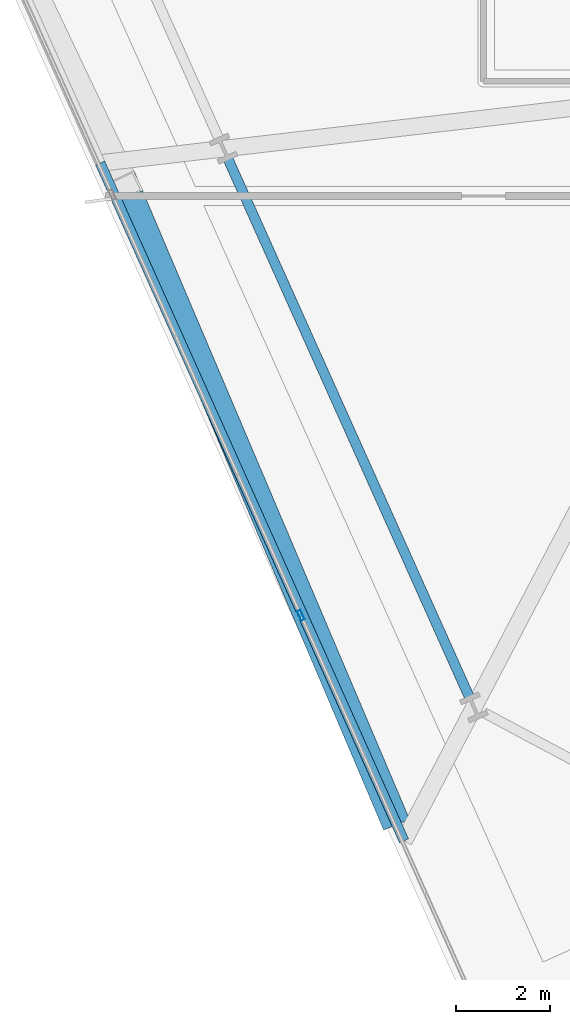
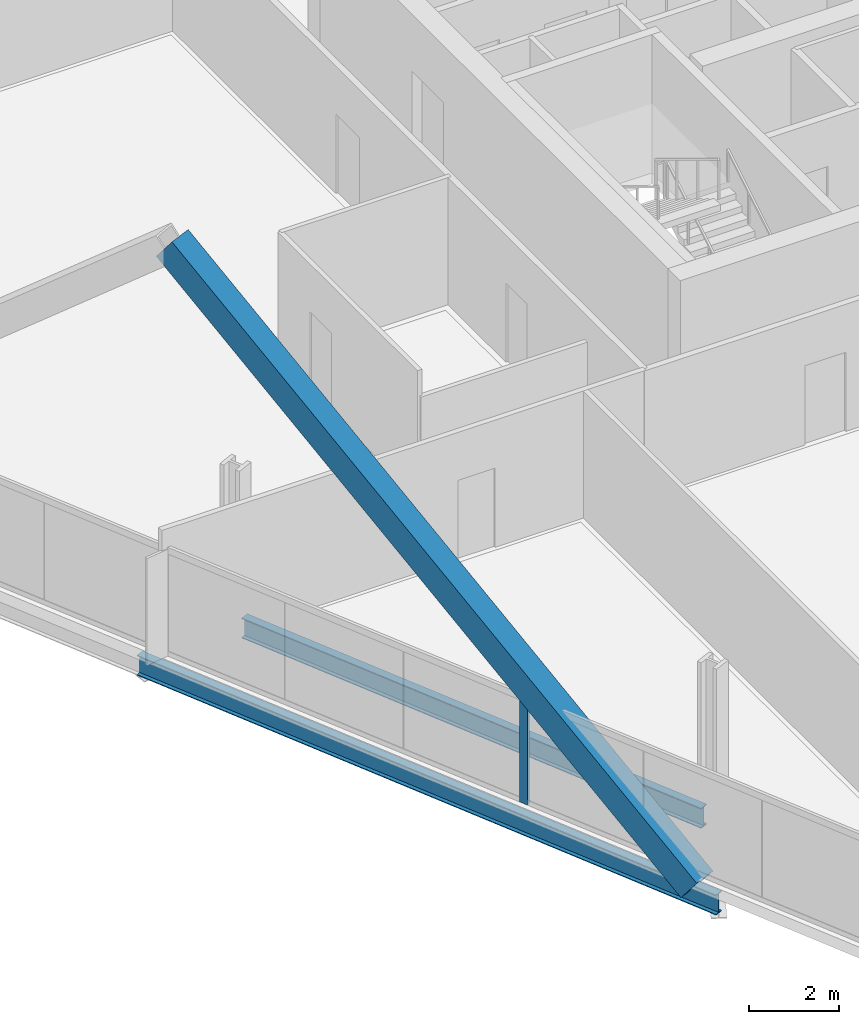
# One storey, part 2 of 38: 2 beams, 2 members, 1 element without a shape of its own.
"""IFC4 building model written with IfcOpenShell, lengths in metres."""

import ifcopenshell
import ifcopenshell.guid

model = None  # the IFC model being written
_history = None  # IfcOwnerHistory: only IFC2X3 demands one
_inside = {}  # id of a spatial element -> (the spatial element, [elements in it])
_under = {}  # id of a project, library or spatial element -> (it, [spatial elements below it])
_declared = {}  # id of a project -> (the project, [libraries it declares])
_typed = {}  # id of a type object -> (the type object, [elements of that type])
_made_of = {}  # id of a material, layer set ... -> (it, [elements and type objects made of it])


def new_model(schema):
    """Start an empty IFC model of exactly this schema.

    Asked for "IFC4X3", IfcOpenShell would pick the latest addendum, in which some entities
    have other attributes; the version numbers below select the first issue.
    IFC2X3 requires an IfcOwnerHistory on every rooted entity: one is made here for all.
    """
    global model, _history
    if schema == "IFC4X3":
        model = ifcopenshell.file(schema_version=(4, 3, 0, 0))
    else:
        model = ifcopenshell.file(schema=schema)
    _inside.clear()
    _under.clear()
    _declared.clear()
    _typed.clear()
    _made_of.clear()
    _history = None
    if model.schema == "IFC2X3":
        org = make("IfcOrganization", Name="unknown")
        user = make(
            "IfcPersonAndOrganization",
            ThePerson=make("IfcPerson", FamilyName="unknown"),
            TheOrganization=org,
        )
        app = make(
            "IfcApplication",
            ApplicationDeveloper=org,
            Version="unknown",
            ApplicationFullName="unknown",
            ApplicationIdentifier="unknown",
        )
        _history = make(
            "IfcOwnerHistory",
            OwningUser=user,
            OwningApplication=app,
            ChangeAction="ADDED",
            CreationDate=0,
        )
    return model


def make(cls, **values):
    """One entity of the class cls with the attributes given. An attribute that is None is left unset."""
    return model.create_entity(
        cls, **{name: value for name, value in values.items() if value is not None}
    )


def rooted(cls, **values):
    """An entity with a GlobalId (a new one), such as an element, a storey or a relation."""
    return make(cls, GlobalId=ifcopenshell.guid.new(), OwnerHistory=_history, **values)


def si_unit(unit_type, name, prefix=None):
    """IfcSIUnit, for example si_unit("LENGTHUNIT", "METRE", prefix="MILLI")."""
    return make("IfcSIUnit", UnitType=unit_type, Prefix=prefix, Name=name)


def assignment(units):
    """IfcUnitAssignment: the units of a project."""
    return None if units is None else make("IfcUnitAssignment", Units=units)


def point(xyz):
    """IfcCartesianPoint."""
    return None if xyz is None else make("IfcCartesianPoint", Coordinates=xyz)


def direction(xyz):
    """IfcDirection."""
    return None if xyz is None else make("IfcDirection", DirectionRatios=xyz)


def frame(location, z_axis=None, x_axis=None):
    """IfcAxis2Placement3D, a coordinate frame: its origin and axes. An axis left out is left unset."""
    return make(
        "IfcAxis2Placement3D",
        Location=point(location),
        Axis=direction(z_axis),
        RefDirection=direction(x_axis),
    )


def frame_2d(location, x_axis=None):
    """IfcAxis2Placement2D, a coordinate frame in the plane: its origin and x axis."""
    return make(
        "IfcAxis2Placement2D", Location=point(location), RefDirection=direction(x_axis)
    )


def origin():
    """The frame at (0, 0, 0) with its axes left unset."""
    return frame((0.0, 0.0, 0.0))


def origin_2d():
    """The frame at (0, 0) in the plane with its x axis left unset."""
    return frame_2d((0.0, 0.0))


def place(relative_to, where):
    """IfcLocalPlacement: puts the frame where relative to a parent placement (None: the world)."""
    return make(
        "IfcLocalPlacement", PlacementRelTo=relative_to, RelativePlacement=where
    )


def context(
    kind, dimensions, precision=None, world=None, true_north=None, identifier=None
):
    """IfcGeometricRepresentationContext, for example the 3D "Model" context."""
    return make(
        "IfcGeometricRepresentationContext",
        ContextIdentifier=identifier,
        ContextType=kind,
        CoordinateSpaceDimension=dimensions,
        Precision=precision,
        WorldCoordinateSystem=world,
        TrueNorth=true_north,
    )


def subcontext(parent, identifier, kind, view, scale=None):
    """IfcGeometricRepresentationSubContext, for example "Body" below "Model"."""
    return make(
        "IfcGeometricRepresentationSubContext",
        ContextIdentifier=identifier,
        ContextType=kind,
        ParentContext=parent,
        TargetScale=scale,
        TargetView=view,
    )


def project(units=None, contexts=None):
    """IfcProject with its units and contexts."""
    return rooted(
        "IfcProject",
        Name="project",
        RepresentationContexts=contexts,
        UnitsInContext=assignment(units),
    )


def spatial(cls, under=None, at=None, **own):
    """A site, building, storey or space (cls), placed at a placement, below another one or the project."""
    s = rooted(cls, ObjectPlacement=at, **own)
    if under is not None:
        _under.setdefault(under.id(), (under, []))[1].append(s)
    return s


def profile(cls, at=None, kind="AREA", **sizes):
    """A parametric profile (cls). Its sizes go by their IFC names, for example OverallWidth=200.0."""
    return make(cls, ProfileType=kind, Position=at, **sizes)


def hollow_rectangle(**sizes):
    """IfcRectangleHollowProfileDef."""
    return profile("IfcRectangleHollowProfileDef", **sizes)


def i_section(**sizes):
    """IfcIShapeProfileDef."""
    return profile("IfcIShapeProfileDef", **sizes)


def extrude(swept, where, along, depth):
    """IfcExtrudedAreaSolid: the profile swept, set in the frame where, extruded along a direction by depth."""
    return make(
        "IfcExtrudedAreaSolid",
        SweptArea=swept,
        Position=where,
        ExtrudedDirection=direction(along),
        Depth=depth,
    )


def shape(context_of_items, identifier, shape_type, items):
    """IfcShapeRepresentation: the items that make up one representation, for example the "Body"."""
    return make(
        "IfcShapeRepresentation",
        ContextOfItems=context_of_items,
        RepresentationIdentifier=identifier,
        RepresentationType=shape_type,
        Items=items,
    )


def material(Name=None, Category=None):
    """IfcMaterial."""
    return make("IfcMaterial", Name=Name, Category=Category)


def material_profile(
    of_material, cross_section, Name=None, Category=None, Priority=None
):
    """IfcMaterialProfile: a cross section and its material."""
    return make(
        "IfcMaterialProfile",
        Name=Name,
        Material=of_material,
        Profile=cross_section,
        Priority=Priority,
        Category=Category,
    )


def profile_set(profiles, Name=None, composite=None):
    """IfcMaterialProfileSet."""
    return make(
        "IfcMaterialProfileSet",
        Name=Name,
        MaterialProfiles=profiles,
        CompositeProfile=composite,
    )


def made_of(thing, what):
    """Note that an element or type object is made of a material, layer set ...; save() writes the relation."""
    if what is not None:
        _made_of.setdefault(what.id(), (what, []))[1].append(thing)
    return thing


def type_object(cls, material=None, **own):
    """A type object (cls), such as IfcWallType, which elements share."""
    return made_of(rooted(cls, **own), material)


def element(
    cls,
    number,
    at=None,
    inside=None,
    cuts=None,
    type_object=None,
    material=None,
    context=None,
    identifier="Body",
    shape_type=None,
    held_by="IfcProductDefinitionShape",
    body=None,
    shapes=None,
    **own,
):
    """One element of the class cls, such as IfcWall. Its Tag is "e" and its number.

    at: its placement. inside: the storey or other place that contains it. cuts: it is an
    opening in that element (IfcRelVoidsElement). A single representation is given by context,
    identifier, shape_type and body (its items); several are given by shapes. held_by: the class
    of the entity that holds the representations. save() writes the other relations.
    """
    e = rooted(cls, Tag="e%d" % number, ObjectPlacement=at, **own)
    if body is not None:
        shapes = [shape(context, identifier, shape_type, body)]
    if shapes is not None:
        e.Representation = make(held_by, Representations=shapes)
    if inside is not None:
        _inside.setdefault(inside.id(), (inside, []))[1].append(e)
    if cuts is not None:
        rooted(
            "IfcRelVoidsElement", RelatingBuildingElement=cuts, RelatedOpeningElement=e
        )
    if type_object is not None:
        _typed.setdefault(type_object.id(), (type_object, []))[1].append(e)
    return made_of(e, material)


def aggregate(whole, parts):
    """IfcRelAggregates: a whole, such as a stair, and the parts it consists of."""
    return rooted("IfcRelAggregates", RelatingObject=whole, RelatedObjects=parts)


def save(model, path):
    """Write the relations noted so far, then the file.

    IfcRelAggregates (storeys below a building ...), IfcRelContainedInSpatialStructure (elements
    in a storey), IfcRelDefinesByType, IfcRelAssociatesMaterial and IfcRelDeclares: one each for
    every whole, place, type object, material and project.
    """
    for whole, parts in _under.values():
        aggregate(whole, parts)
    for where, things in _inside.values():
        rooted(
            "IfcRelContainedInSpatialStructure",
            RelatedElements=things,
            RelatingStructure=where,
        )
    for kind, things in _typed.values():
        rooted("IfcRelDefinesByType", RelatedObjects=things, RelatingType=kind)
    for what, things in _made_of.values():
        rooted("IfcRelAssociatesMaterial", RelatedObjects=things, RelatingMaterial=what)
    for by, libraries in _declared.values():
        rooted("IfcRelDeclares", RelatingContext=by, RelatedDefinitions=libraries)
    model.write(path)


model = new_model("IFC4")

# Units and contexts
model_context = context("Model", 3, precision=1e-05, world=origin(), true_north=direction((0.0, 1.0)))
body_context = subcontext(model_context, "Body", "Model", "MODEL_VIEW")
ifc_project = project(units=[si_unit("LENGTHUNIT", "METRE"), si_unit("AREAUNIT", "SQUARE_METRE"), si_unit("VOLUMEUNIT", "CUBIC_METRE"), si_unit("PLANEANGLEUNIT", "RADIAN"), si_unit("MASSUNIT", "GRAM", prefix="KILO")], contexts=[model_context])

# Site, building, storey
site_placement = place(None, origin())
site = spatial("IfcSite", under=ifc_project, at=site_placement, CompositionType="ELEMENT")
building_placement = place(site_placement, origin())
building = spatial("IfcBuilding", under=site, at=building_placement, Name="Haldenkirk Collegiate Tower", CompositionType="ELEMENT")
storey_placement = place(building_placement, frame((0.0, 0.0, 109.199951171875)))
storey = spatial("IfcBuildingStorey", under=building, at=storey_placement, Name="L26", CompositionType="ELEMENT", Elevation=109.199951171875)

# Beams
ifc_material_1 = material(Name="Steel ASTM A992 Grade 50", Category="steel")
ifc_material_profile_1 = material_profile(ifc_material_1, i_section(OverallWidth=0.2119140625, OverallDepth=0.5439453125, WebThickness=0.01318359375, FlangeThickness=0.021240234375, at=origin_2d()), Name="W21X83")
ifc_profile_set_1 = profile_set([ifc_material_profile_1], Name="Steel ASTM A992 Grade 50")
beam_type = type_object("IfcBeamType", Name="BM-SPANDREL-W21X83", PredefinedType="SPANDREL", material=ifc_profile_set_1)
beam_1_placement = place(storey_placement, frame((14.742919921875, 16.3369140625, -0.572021484375), z_axis=(0.409131045523, -0.91247563671, 0.0), x_axis=(0.91247563671, 0.409131045523, 0.0)))
element("IfcBeam", 1, at=beam_1_placement, inside=storey, type_object=beam_type, Name="L26 perimeter spandrel beam 15", PredefinedType="SPANDREL", context=body_context, shape_type="SweptSolid", body=[
    extrude(i_section(OverallWidth=0.2119140625, OverallDepth=0.5439453125, WebThickness=0.01318359375, FlangeThickness=0.021240234375, at=origin_2d()), origin(), (0.0, 0.0, 1.0), 12.593994140625),
])
beam_2_placement = place(storey_placement, frame((12.00732421875, 16.25390625, -0.572021484375), z_axis=(0.409138476093, -0.912472304993, 0.0), x_axis=(0.912472304993, 0.409138476093, 0.0)))
element("IfcBeam", 2, at=beam_2_placement, inside=storey, type_object=beam_type, Name="L26 outer facade edge beam 4B", PredefinedType="SPANDREL", context=body_context, shape_type="SweptSolid", body=[
    extrude(i_section(OverallWidth=0.2119140625, OverallDepth=0.5439453125, WebThickness=0.01318359375, FlangeThickness=0.021240234375, at=origin_2d()), origin(), (0.0, 0.0, 1.0), 15.875),
])

# Curtain wall, member
ifc_material_2 = material(Name="Anodised architectural bronze aluminium", Category="aluminium")
curtain_wall_type = type_object("IfcCurtainWallType", Name="CW-SYS1-CONVEX-LOW", PredefinedType="USERDEFINED", material=ifc_material_2)
curtain_wall_placement = place(storey_placement, origin())
curtain_wall = element("IfcCurtainWall", 3, at=curtain_wall_placement, inside=storey, type_object=curtain_wall_type, Name="L26 Lower tower convex bronze-framed unitised curtain wall", ObjectType="UNITISED CURTAIN WALL", PredefinedType="USERDEFINED")
ifc_material_profile_2 = material_profile(ifc_material_2, hollow_rectangle(XDim=0.080078125, YDim=0.219970703125, WallThickness=0.0048828125, at=origin_2d()), Name="CW-MUL-1A")
ifc_profile_set_2 = profile_set([ifc_material_profile_2], Name="Anodised architectural bronze aluminium")
member_type_1 = type_object("IfcMemberType", Name="CW-MUL-1A", PredefinedType="MULLION", material=ifc_profile_set_2)
member_1_placement = place(storey_placement, frame((16.296630859375, 6.58984375, 0.0), z_axis=(0.0, 0.0, 1.0), x_axis=(-0.912477862361, -0.409126081669, 0.0)))
member_1 = element("IfcMember", 4, at=member_1_placement, type_object=member_type_1, Name="CW-1A mullion 2", PredefinedType="MULLION", context=body_context, shape_type="SweptSolid", body=[
    extrude(hollow_rectangle(XDim=0.080078125, YDim=0.219970703125, WallThickness=0.0048828125, at=origin_2d()), origin(), (0.0, 0.0, 1.0), 2.901123046875),
])
aggregate(curtain_wall, [member_1])

# Member
ifc_material_3 = material(Name="Steel ASTM A572 Grade 50", Category="steel")
ifc_material_profile_3 = material_profile(ifc_material_3, hollow_rectangle(XDim=0.60009765625, YDim=0.719970703125, WallThickness=0.044921875, at=origin_2d()), Name="BOX720X600X45")
ifc_profile_set_3 = profile_set([ifc_material_profile_3], Name="Steel ASTM A572 Grade 50")
member_type_2 = type_object("IfcMemberType", Name="MBR-MEGABRACE-BOX720X600X45", PredefinedType="BRACE", material=ifc_profile_set_3)
member_2_placement = place(storey_placement, frame((18.2568359375, 2.31591796875, -0.31005859375), z_axis=(-0.309683159666, 0.729014585259, 0.610437609506), x_axis=(-0.920398185905, -0.390982326178, 0.0)))
element("IfcMember", 5, at=member_2_placement, inside=storey, type_object=member_type_2, Name="Perimeter Mega Brace Z2 L26-L28 WR", PredefinedType="BRACE", context=body_context, shape_type="SweptSolid", body=[
    extrude(hollow_rectangle(XDim=0.60009765625, YDim=0.719970703125, WallThickness=0.044921875, at=origin_2d()), origin(), (0.0, 0.0, 1.0), 18.429443359375),
])

save(model, "model.ifc")
